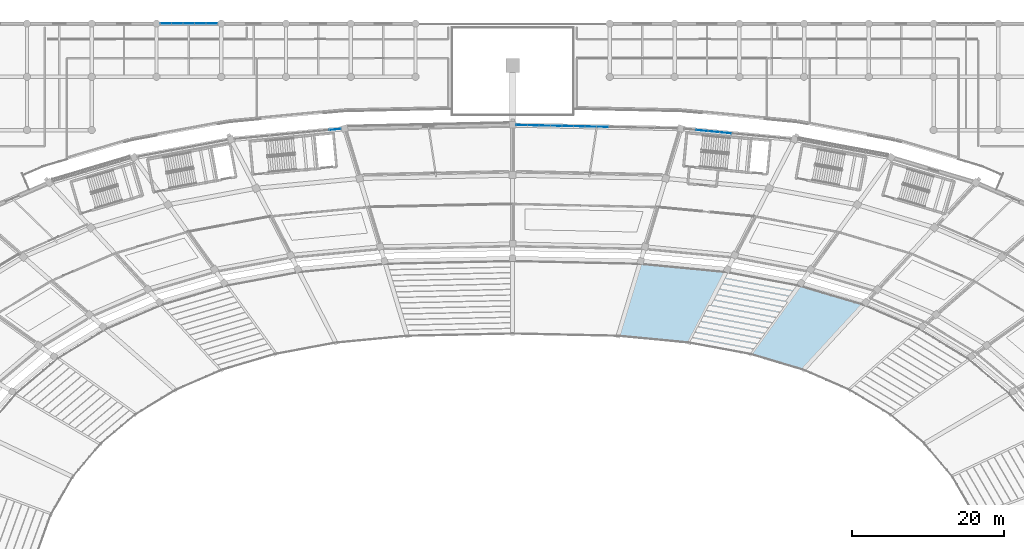
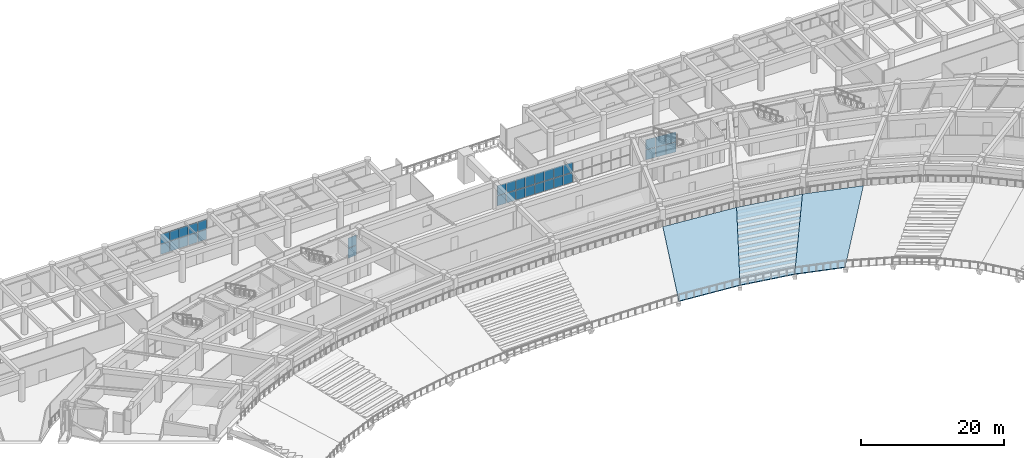
# One storey, part 91 of 152: 34 plates, 3 slabs, 4 elements without a shape of their own.
"""IFC4 building model written with IfcOpenShell, lengths in metres."""

from ifc_helpers import new_model, si_unit, direction, frame, origin, origin_2d, place, context, subcontext, project, spatial, polyline, rectangle, outline, extrude, material, layer, layer_set, type_object, element, aggregate, save


model = new_model("IFC4")

# Units and contexts
model_context = context("Model", 3, precision=1e-05, world=origin(), true_north=direction((0.0, 1.0)))
body_context = subcontext(model_context, "Body", "Model", "MODEL_VIEW")
ifc_project = project(units=[si_unit("LENGTHUNIT", "METRE"), si_unit("AREAUNIT", "SQUARE_METRE"), si_unit("VOLUMEUNIT", "CUBIC_METRE"), si_unit("PLANEANGLEUNIT", "RADIAN"), si_unit("MASSUNIT", "GRAM", prefix="KILO")], contexts=[model_context])

# Site, building, storey
site_placement = place(None, origin())
site = spatial("IfcSite", under=ifc_project, at=site_placement, CompositionType="ELEMENT")
building_placement = place(site_placement, origin())
building = spatial("IfcBuilding", under=site, at=building_placement, Name="Mphavela Belvedere Stadium", CompositionType="ELEMENT")
storey_placement = place(building_placement, frame((0.0, 0.0, 5.39990234375)))
storey = spatial("IfcBuildingStorey", under=building, at=storey_placement, Name="L01", CompositionType="ELEMENT", Elevation=5.39990234375)

# Curtain wall, plates
ifc_material_1 = material(Name="Anodised bronze unitised curtain wall framing")
ifc_layer_1 = layer(ifc_material_1, 0.205078125)
ifc_layer_set_1 = layer_set([ifc_layer_1], Name="Anodised bronze unitised curtain wall framing")
curtain_wall_type_1 = type_object("IfcCurtainWallType", Name="CW-UNIT-06", PredefinedType="USERDEFINED", material=ifc_layer_set_1)
curtain_wall_1_placement = place(storey_placement, origin())
curtain_wall_1 = element("IfcCurtainWall", 1, at=curtain_wall_1_placement, inside=storey, type_object=curtain_wall_type_1, Name="Belvedere colonnade curtain wall L01-11", ObjectType="UNITISED CURTAIN WALL", PredefinedType="USERDEFINED")
ifc_material_2 = material(Name="Solar-control double glazing", Category="glass")
ifc_layer_2 = layer(ifc_material_2, 0.031982421875)
ifc_layer_set_2 = layer_set([ifc_layer_2], Name="Solar-control double glazing")
plate_type = type_object("IfcPlateType", Name="CWP-SOLAR-GLASS", PredefinedType="CURTAIN_PANEL", material=ifc_layer_set_2)
plate_1_placement = place(storey_placement, frame((143.025146484375, 159.630126953125, 0.06005859375), z_axis=(0.0, 0.0, 1.0), x_axis=(-0.99548468981, 0.094922243726, 0.0)))
plate_1 = element("IfcPlate", 2, at=plate_1_placement, type_object=plate_type, Name="CW-06 panel 6.1", PredefinedType="CURTAIN_PANEL", context=body_context, shape_type="SweptSolid", body=[
    extrude(rectangle(XDim=1.510498046875, YDim=0.031982421875, at=origin_2d()), origin(), (0.0, 0.0, 1.0), 1.695068359375),
])
plate_2_placement = place(storey_placement, frame((143.025146484375, 159.630126953125, 1.81494140625), z_axis=(0.0, 0.0, 1.0), x_axis=(-0.99548468981, 0.094922243726, 0.0)))
plate_2 = element("IfcPlate", 3, at=plate_2_placement, type_object=plate_type, Name="CW-06 panel 6.2", PredefinedType="CURTAIN_PANEL", context=body_context, shape_type="SweptSolid", body=[
    extrude(rectangle(XDim=1.510498046875, YDim=0.031982421875, at=origin_2d()), origin(), (0.0, 0.0, 1.0), 1.695068359375),
])
plate_3_placement = place(storey_placement, frame((141.456787109375, 159.77978515625, 0.06005859375), z_axis=(0.0, 0.0, 1.0), x_axis=(-0.99548468981, 0.094922243726, 0.0)))
plate_3 = element("IfcPlate", 4, at=plate_3_placement, type_object=plate_type, Name="CW-06 panel 7.1", PredefinedType="CURTAIN_PANEL", context=body_context, shape_type="SweptSolid", body=[
    extrude(rectangle(XDim=1.510498046875, YDim=0.031982421875, at=origin_2d()), origin(), (0.0, 0.0, 1.0), 1.695068359375),
])
plate_4_placement = place(storey_placement, frame((141.456787109375, 159.77978515625, 1.81494140625), z_axis=(0.0, 0.0, 1.0), x_axis=(-0.99548468981, 0.094922243726, 0.0)))
plate_4 = element("IfcPlate", 5, at=plate_4_placement, type_object=plate_type, Name="CW-06 panel 7.2", PredefinedType="CURTAIN_PANEL", context=body_context, shape_type="SweptSolid", body=[
    extrude(rectangle(XDim=1.510498046875, YDim=0.031982421875, at=origin_2d()), origin(), (0.0, 0.0, 1.0), 1.695068359375),
])
plate_5_placement = place(storey_placement, frame((139.888427734375, 159.92919921875, 0.06005859375), z_axis=(0.0, 0.0, 1.0), x_axis=(-0.99548468981, 0.094922243726, 0.0)))
plate_5 = element("IfcPlate", 6, at=plate_5_placement, type_object=plate_type, Name="CW-06 panel 8.1", PredefinedType="CURTAIN_PANEL", context=body_context, shape_type="SweptSolid", body=[
    extrude(rectangle(XDim=1.510498046875, YDim=0.031982421875, at=origin_2d()), origin(), (0.0, 0.0, 1.0), 1.695068359375),
])
plate_6_placement = place(storey_placement, frame((139.888427734375, 159.92919921875, 1.81494140625), z_axis=(0.0, 0.0, 1.0), x_axis=(-0.99548468981, 0.094922243726, 0.0)))
plate_6 = element("IfcPlate", 7, at=plate_6_placement, type_object=plate_type, Name="CW-06 panel 8.2", PredefinedType="CURTAIN_PANEL", context=body_context, shape_type="SweptSolid", body=[
    extrude(rectangle(XDim=1.510498046875, YDim=0.031982421875, at=origin_2d()), origin(), (0.0, 0.0, 1.0), 1.695068359375),
])
aggregate(curtain_wall_1, [plate_1, plate_2, plate_3, plate_4, plate_5, plate_6])

ifc_material_3 = material(Name="Anodised bronze unitised curtain wall framing")
ifc_layer_3 = layer(ifc_material_3, 0.179931640625)
ifc_layer_set_3 = layer_set([ifc_layer_3], Name="Anodised bronze unitised curtain wall framing")
curtain_wall_type_2 = type_object("IfcCurtainWallType", Name="CW-UNIT-01", PredefinedType="USERDEFINED", material=ifc_layer_set_3)
curtain_wall_2_placement = place(storey_placement, origin())
curtain_wall_2 = element("IfcCurtainWall", 8, at=curtain_wall_2_placement, inside=storey, type_object=curtain_wall_type_2, Name="Belvedere colonnade curtain wall L01-12", ObjectType="UNITISED CURTAIN WALL", PredefinedType="USERDEFINED")
plate_7_placement = place(storey_placement, frame((126.81689453125, 160.41552734375, 0.06005859375), z_axis=(0.0, 0.0, 1.0), x_axis=(-0.999768226394, 0.021528899038, 0.0)))
plate_7 = element("IfcPlate", 9, at=plate_7_placement, type_object=plate_type, Name="CW-01 panel 7.1", PredefinedType="CURTAIN_PANEL", context=body_context, shape_type="SweptSolid", body=[
    extrude(rectangle(XDim=1.45458984375, YDim=0.031982421875, at=origin_2d()), origin(), (0.0, 0.0, 1.0), 1.695068359375),
])
plate_8_placement = place(storey_placement, frame((126.81689453125, 160.41552734375, 1.81494140625), z_axis=(0.0, 0.0, 1.0), x_axis=(-0.999768226394, 0.021528899038, 0.0)))
plate_8 = element("IfcPlate", 10, at=plate_8_placement, type_object=plate_type, Name="CW-01 panel 7.2", PredefinedType="CURTAIN_PANEL", context=body_context, shape_type="SweptSolid", body=[
    extrude(rectangle(XDim=1.45458984375, YDim=0.031982421875, at=origin_2d()), origin(), (0.0, 0.0, 1.0), 1.695068359375),
])
plate_9_placement = place(storey_placement, frame((125.297607421875, 160.4482421875, 0.06005859375), z_axis=(0.0, 0.0, 1.0), x_axis=(-0.999768226394, 0.021528899038, 0.0)))
plate_9 = element("IfcPlate", 11, at=plate_9_placement, type_object=plate_type, Name="CW-01 panel 8.1", PredefinedType="CURTAIN_PANEL", context=body_context, shape_type="SweptSolid", body=[
    extrude(rectangle(XDim=1.45458984375, YDim=0.031982421875, at=origin_2d()), origin(), (0.0, 0.0, 1.0), 1.695068359375),
])
plate_10_placement = place(storey_placement, frame((125.297607421875, 160.4482421875, 1.81494140625), z_axis=(0.0, 0.0, 1.0), x_axis=(-0.999768226394, 0.021528899038, 0.0)))
plate_10 = element("IfcPlate", 12, at=plate_10_placement, type_object=plate_type, Name="CW-01 panel 8.2", PredefinedType="CURTAIN_PANEL", context=body_context, shape_type="SweptSolid", body=[
    extrude(rectangle(XDim=1.45458984375, YDim=0.031982421875, at=origin_2d()), origin(), (0.0, 0.0, 1.0), 1.695068359375),
])
plate_11_placement = place(storey_placement, frame((123.778564453125, 160.48095703125, 0.06005859375), z_axis=(0.0, 0.0, 1.0), x_axis=(-0.999768226394, 0.021528899038, 0.0)))
plate_11 = element("IfcPlate", 13, at=plate_11_placement, type_object=plate_type, Name="CW-01 panel 9.1", PredefinedType="CURTAIN_PANEL", context=body_context, shape_type="SweptSolid", body=[
    extrude(rectangle(XDim=1.45458984375, YDim=0.031982421875, at=origin_2d()), origin(), (0.0, 0.0, 1.0), 1.695068359375),
])
plate_12_placement = place(storey_placement, frame((123.778564453125, 160.48095703125, 1.81494140625), z_axis=(0.0, 0.0, 1.0), x_axis=(-0.999768226394, 0.021528899038, 0.0)))
plate_12 = element("IfcPlate", 14, at=plate_12_placement, type_object=plate_type, Name="CW-01 panel 9.2", PredefinedType="CURTAIN_PANEL", context=body_context, shape_type="SweptSolid", body=[
    extrude(rectangle(XDim=1.45458984375, YDim=0.031982421875, at=origin_2d()), origin(), (0.0, 0.0, 1.0), 1.695068359375),
])
plate_13_placement = place(storey_placement, frame((122.25927734375, 160.513671875, 0.06005859375), z_axis=(0.0, 0.0, 1.0), x_axis=(-0.999768226394, 0.021528899038, 0.0)))
plate_13 = element("IfcPlate", 15, at=plate_13_placement, type_object=plate_type, Name="CW-01 panel 10.1", PredefinedType="CURTAIN_PANEL", context=body_context, shape_type="SweptSolid", body=[
    extrude(rectangle(XDim=1.45458984375, YDim=0.031982421875, at=origin_2d()), origin(), (0.0, 0.0, 1.0), 1.695068359375),
])
plate_14_placement = place(storey_placement, frame((122.25927734375, 160.513671875, 1.81494140625), z_axis=(0.0, 0.0, 1.0), x_axis=(-0.999768226394, 0.021528899038, 0.0)))
plate_14 = element("IfcPlate", 16, at=plate_14_placement, type_object=plate_type, Name="CW-01 panel 10.2", PredefinedType="CURTAIN_PANEL", context=body_context, shape_type="SweptSolid", body=[
    extrude(rectangle(XDim=1.45458984375, YDim=0.031982421875, at=origin_2d()), origin(), (0.0, 0.0, 1.0), 1.695068359375),
])
plate_15_placement = place(storey_placement, frame((120.739990234375, 160.54638671875, 0.06005859375), z_axis=(0.0, 0.0, 1.0), x_axis=(-0.999768226394, 0.021528899038, 0.0)))
plate_15 = element("IfcPlate", 17, at=plate_15_placement, type_object=plate_type, Name="CW-01 panel 11.1", PredefinedType="CURTAIN_PANEL", context=body_context, shape_type="SweptSolid", body=[
    extrude(rectangle(XDim=1.45458984375, YDim=0.031982421875, at=origin_2d()), origin(), (0.0, 0.0, 1.0), 1.695068359375),
])
plate_16_placement = place(storey_placement, frame((120.739990234375, 160.54638671875, 1.81494140625), z_axis=(0.0, 0.0, 1.0), x_axis=(-0.999768226394, 0.021528899038, 0.0)))
plate_16 = element("IfcPlate", 18, at=plate_16_placement, type_object=plate_type, Name="CW-01 panel 11.2", PredefinedType="CURTAIN_PANEL", context=body_context, shape_type="SweptSolid", body=[
    extrude(rectangle(XDim=1.45458984375, YDim=0.031982421875, at=origin_2d()), origin(), (0.0, 0.0, 1.0), 1.695068359375),
])
plate_17_placement = place(storey_placement, frame((119.220947265625, 160.5791015625, 0.06005859375), z_axis=(0.0, 0.0, 1.0), x_axis=(-0.999768226394, 0.021528899038, 0.0)))
plate_17 = element("IfcPlate", 19, at=plate_17_placement, type_object=plate_type, Name="CW-01 panel 12.1", PredefinedType="CURTAIN_PANEL", context=body_context, shape_type="SweptSolid", body=[
    extrude(rectangle(XDim=1.45458984375, YDim=0.031982421875, at=origin_2d()), origin(), (0.0, 0.0, 1.0), 1.695068359375),
])
plate_18_placement = place(storey_placement, frame((119.220947265625, 160.5791015625, 1.81494140625), z_axis=(0.0, 0.0, 1.0), x_axis=(-0.999768226394, 0.021528899038, 0.0)))
plate_18 = element("IfcPlate", 20, at=plate_18_placement, type_object=plate_type, Name="CW-01 panel 12.2", PredefinedType="CURTAIN_PANEL", context=body_context, shape_type="SweptSolid", body=[
    extrude(rectangle(XDim=1.45458984375, YDim=0.031982421875, at=origin_2d()), origin(), (0.0, 0.0, 1.0), 1.695068359375),
])
plate_19_placement = place(storey_placement, frame((117.70166015625, 160.61181640625, 0.06005859375), z_axis=(0.0, 0.0, 1.0), x_axis=(-0.999768226394, 0.021528899038, 0.0)))
plate_19 = element("IfcPlate", 21, at=plate_19_placement, type_object=plate_type, Name="CW-01 panel 13.1", PredefinedType="CURTAIN_PANEL", context=body_context, shape_type="SweptSolid", body=[
    extrude(rectangle(XDim=1.45458984375, YDim=0.031982421875, at=origin_2d()), origin(), (0.0, 0.0, 1.0), 1.695068359375),
])
plate_20_placement = place(storey_placement, frame((117.70166015625, 160.61181640625, 1.81494140625), z_axis=(0.0, 0.0, 1.0), x_axis=(-0.999768226394, 0.021528899038, 0.0)))
plate_20 = element("IfcPlate", 22, at=plate_20_placement, type_object=plate_type, Name="CW-01 panel 13.2", PredefinedType="CURTAIN_PANEL", context=body_context, shape_type="SweptSolid", body=[
    extrude(rectangle(XDim=1.45458984375, YDim=0.031982421875, at=origin_2d()), origin(), (0.0, 0.0, 1.0), 1.695068359375),
])
plate_21_placement = place(storey_placement, frame((116.19873046875, 160.644287109375, 0.06005859375), z_axis=(0.0, 0.0, 1.0), x_axis=(-0.999768226394, 0.021528899038, 0.0)))
plate_21 = element("IfcPlate", 23, at=plate_21_placement, type_object=plate_type, Name="CW-01 panel 14.1", PredefinedType="CURTAIN_PANEL", context=body_context, shape_type="SweptSolid", body=[
    extrude(rectangle(XDim=1.422119140625, YDim=0.031982421875, at=origin_2d()), origin(), (0.0, 0.0, 1.0), 1.695068359375),
])
plate_22_placement = place(storey_placement, frame((116.19873046875, 160.644287109375, 1.81494140625), z_axis=(0.0, 0.0, 1.0), x_axis=(-0.999768226394, 0.021528899038, 0.0)))
plate_22 = element("IfcPlate", 24, at=plate_22_placement, type_object=plate_type, Name="CW-01 panel 14.2", PredefinedType="CURTAIN_PANEL", context=body_context, shape_type="SweptSolid", body=[
    extrude(rectangle(XDim=1.422119140625, YDim=0.031982421875, at=origin_2d()), origin(), (0.0, 0.0, 1.0), 1.695068359375),
])
aggregate(curtain_wall_2, [plate_7, plate_8, plate_9, plate_10, plate_11, plate_12, plate_13, plate_14, plate_15, plate_16, plate_17, plate_18, plate_19, plate_20, plate_21, plate_22])

ifc_material_4 = material(Name="Anodised bronze unitised curtain wall framing")
ifc_layer_4 = layer(ifc_material_4, 0.18505859375)
ifc_layer_set_4 = layer_set([ifc_layer_4], Name="Anodised bronze unitised curtain wall framing")
curtain_wall_type_3 = type_object("IfcCurtainWallType", Name="CW-UNIT-02", PredefinedType="USERDEFINED", material=ifc_layer_set_4)
curtain_wall_3_placement = place(storey_placement, origin())
curtain_wall_3 = element("IfcCurtainWall", 25, at=curtain_wall_3_placement, inside=storey, type_object=curtain_wall_type_3, Name="Belvedere colonnade curtain wall L01-14", ObjectType="UNITISED CURTAIN WALL", PredefinedType="USERDEFINED")
plate_23_placement = place(storey_placement, frame((91.663818359375, 160.077392578125, 0.06005859375), z_axis=(0.0, 0.0, 1.0), x_axis=(-0.99548468981, -0.094922243726, 0.0)))
plate_23 = element("IfcPlate", 26, at=plate_23_placement, type_object=plate_type, Name="CW-02 panel 1.1", PredefinedType="CURTAIN_PANEL", context=body_context, shape_type="SweptSolid", body=[
    extrude(rectangle(XDim=1.47802734375, YDim=0.031982421875, at=origin_2d()), origin(), (0.0, 0.0, 1.0), 1.695068359375),
])
plate_24_placement = place(storey_placement, frame((91.663818359375, 160.077392578125, 1.81494140625), z_axis=(0.0, 0.0, 1.0), x_axis=(-0.99548468981, -0.094922243726, 0.0)))
plate_24 = element("IfcPlate", 27, at=plate_24_placement, type_object=plate_type, Name="CW-02 panel 1.2", PredefinedType="CURTAIN_PANEL", context=body_context, shape_type="SweptSolid", body=[
    extrude(rectangle(XDim=1.47802734375, YDim=0.031982421875, at=origin_2d()), origin(), (0.0, 0.0, 1.0), 1.695068359375),
])
aggregate(curtain_wall_3, [plate_23, plate_24])

curtain_wall_4_placement = place(storey_placement, origin())
curtain_wall_4 = element("IfcCurtainWall", 28, at=curtain_wall_4_placement, inside=storey, type_object=curtain_wall_type_3, Name="North Mast and Ceremonial End Forecourt gallery curtain wall L01-09", ObjectType="UNITISED CURTAIN WALL", PredefinedType="USERDEFINED")
plate_25_placement = place(storey_placement, frame((69.39453125, 174.0, 0.06005859375), z_axis=(0.0, 0.0, 1.0), x_axis=(1.0, 0.0, 0.0)))
plate_25 = element("IfcPlate", 29, at=plate_25_placement, type_object=plate_type, Name="CW-02 panel 1.1", PredefinedType="CURTAIN_PANEL", context=body_context, shape_type="SweptSolid", body=[
    extrude(rectangle(XDim=1.4169921875, YDim=0.031982421875, at=origin_2d()), origin(), (0.0, 0.0, 1.0), 1.68994140625),
])
plate_26_placement = place(storey_placement, frame((69.39453125, 174.0, 1.81005859375), z_axis=(0.0, 0.0, 1.0), x_axis=(1.0, 0.0, 0.0)))
plate_26 = element("IfcPlate", 30, at=plate_26_placement, type_object=plate_type, Name="CW-02 panel 1.2", PredefinedType="CURTAIN_PANEL", context=body_context, shape_type="SweptSolid", body=[
    extrude(rectangle(XDim=1.4169921875, YDim=0.031982421875, at=origin_2d()), origin(), (0.0, 0.0, 1.0), 1.68994140625),
])
plate_27_placement = place(storey_placement, frame((70.892822265625, 174.0, 0.06005859375), z_axis=(0.0, 0.0, 1.0), x_axis=(1.0, 0.0, 0.0)))
plate_27 = element("IfcPlate", 31, at=plate_27_placement, type_object=plate_type, Name="CW-02 panel 2.1", PredefinedType="CURTAIN_PANEL", context=body_context, shape_type="SweptSolid", body=[
    extrude(rectangle(XDim=1.44970703125, YDim=0.031982421875, at=origin_2d()), origin(), (0.0, 0.0, 1.0), 1.68994140625),
])
plate_28_placement = place(storey_placement, frame((70.892822265625, 174.0, 1.81005859375), z_axis=(0.0, 0.0, 1.0), x_axis=(1.0, 0.0, 0.0)))
plate_28 = element("IfcPlate", 32, at=plate_28_placement, type_object=plate_type, Name="CW-02 panel 2.2", PredefinedType="CURTAIN_PANEL", context=body_context, shape_type="SweptSolid", body=[
    extrude(rectangle(XDim=1.44970703125, YDim=0.031982421875, at=origin_2d()), origin(), (0.0, 0.0, 1.0), 1.68994140625),
])
plate_29_placement = place(storey_placement, frame((72.407470703125, 174.0, 0.06005859375), z_axis=(0.0, 0.0, 1.0), x_axis=(1.0, 0.0, 0.0)))
plate_29 = element("IfcPlate", 33, at=plate_29_placement, type_object=plate_type, Name="CW-02 panel 3.1", PredefinedType="CURTAIN_PANEL", context=body_context, shape_type="SweptSolid", body=[
    extrude(rectangle(XDim=1.44970703125, YDim=0.031982421875, at=origin_2d()), origin(), (0.0, 0.0, 1.0), 1.68994140625),
])
plate_30_placement = place(storey_placement, frame((72.407470703125, 174.0, 1.81005859375), z_axis=(0.0, 0.0, 1.0), x_axis=(1.0, 0.0, 0.0)))
plate_30 = element("IfcPlate", 34, at=plate_30_placement, type_object=plate_type, Name="CW-02 panel 3.2", PredefinedType="CURTAIN_PANEL", context=body_context, shape_type="SweptSolid", body=[
    extrude(rectangle(XDim=1.44970703125, YDim=0.031982421875, at=origin_2d()), origin(), (0.0, 0.0, 1.0), 1.68994140625),
])
plate_31_placement = place(storey_placement, frame((73.922119140625, 174.0, 0.06005859375), z_axis=(0.0, 0.0, 1.0), x_axis=(1.0, 0.0, 0.0)))
plate_31 = element("IfcPlate", 35, at=plate_31_placement, type_object=plate_type, Name="CW-02 panel 4.1", PredefinedType="CURTAIN_PANEL", context=body_context, shape_type="SweptSolid", body=[
    extrude(rectangle(XDim=1.44970703125, YDim=0.031982421875, at=origin_2d()), origin(), (0.0, 0.0, 1.0), 1.68994140625),
])
plate_32_placement = place(storey_placement, frame((73.922119140625, 174.0, 1.81005859375), z_axis=(0.0, 0.0, 1.0), x_axis=(1.0, 0.0, 0.0)))
plate_32 = element("IfcPlate", 36, at=plate_32_placement, type_object=plate_type, Name="CW-02 panel 4.2", PredefinedType="CURTAIN_PANEL", context=body_context, shape_type="SweptSolid", body=[
    extrude(rectangle(XDim=1.44970703125, YDim=0.031982421875, at=origin_2d()), origin(), (0.0, 0.0, 1.0), 1.68994140625),
])
plate_33_placement = place(storey_placement, frame((75.42041015625, 174.0, 0.06005859375), z_axis=(0.0, 0.0, 1.0), x_axis=(1.0, 0.0, 0.0)))
plate_33 = element("IfcPlate", 37, at=plate_33_placement, type_object=plate_type, Name="CW-02 panel 5.1", PredefinedType="CURTAIN_PANEL", context=body_context, shape_type="SweptSolid", body=[
    extrude(rectangle(XDim=1.4169921875, YDim=0.031982421875, at=origin_2d()), origin(), (0.0, 0.0, 1.0), 1.68994140625),
])
plate_34_placement = place(storey_placement, frame((75.42041015625, 174.0, 1.81005859375), z_axis=(0.0, 0.0, 1.0), x_axis=(1.0, 0.0, 0.0)))
plate_34 = element("IfcPlate", 38, at=plate_34_placement, type_object=plate_type, Name="CW-02 panel 5.2", PredefinedType="CURTAIN_PANEL", context=body_context, shape_type="SweptSolid", body=[
    extrude(rectangle(XDim=1.4169921875, YDim=0.031982421875, at=origin_2d()), origin(), (0.0, 0.0, 1.0), 1.68994140625),
])
aggregate(curtain_wall_4, [plate_25, plate_26, plate_27, plate_28, plate_29, plate_30, plate_31, plate_32, plate_33, plate_34])

# Slabs
ifc_material_5 = material(Name="Precast concrete C45/55", Category="concrete")
ifc_layer_5 = layer(ifc_material_5, 0.25)
ifc_layer_set_5 = layer_set([ifc_layer_5], Name="Precast concrete C45/55")
slab_type = type_object("IfcSlabType", Name="SLB-TIER-LOWER", PredefinedType="USERDEFINED", material=ifc_layer_set_5)
slab_1_placement = place(storey_placement, frame((153.229736328125, 128.462890625, -4.099853515625), z_axis=(-0.141887406626, -0.478031379031, 0.866806763069), x_axis=(-0.958662176806, 0.284546711036, 1.92175e-07)))
element("IfcSlab", 39, at=slab_1_placement, inside=storey, type_object=slab_type, Name="Lower seating tier slab L01-09", ObjectType="SEATING TIER", PredefinedType="USERDEFINED", context=body_context, shape_type="SweptSolid", body=[
    extrude(outline(polyline([(0.0, 0.0), (7.2878357610349545, 4.440892098500626e-16), (3.669552597855052, -12.03262632422255), (-5.119803900182248, -12.032632520277364), (0.0, 0.0)])), origin(), (0.0, 0.0, -1.0), 0.25),
])
slab_2_placement = place(storey_placement, frame((146.2431640625, 130.53662109375, -4.099853515625), z_axis=(-0.094235956026, -0.505938886763, 0.857406220792), x_axis=(-0.983092331305, 0.183110535279, 1.10416e-07)))
element("IfcSlab", 40, at=slab_2_placement, inside=storey, type_object=slab_type, Name="Lower seating tier slab L01-10", ObjectType="SEATING TIER", PredefinedType="USERDEFINED", context=body_context, shape_type="SweptSolid", body=[
    extrude(outline(polyline([(0.0, 0.0), (8.122439028539493, 0.0), (5.1104153923724285, -11.658628718852402), (-4.685334146446665, -11.658632563189693), (0.0, 0.0)])), origin(), (0.0, 0.0, -1.0), 0.25),
])
slab_3_placement = place(storey_placement, frame((138.258056640625, 132.02392578125, -4.099853515625), z_axis=(-0.049974089428, -0.524125282997, 0.850173675262), x_axis=(-0.995485126826, 0.094917660464, 3.32756e-07)))
element("IfcSlab", 41, at=slab_3_placement, inside=storey, type_object=slab_type, Name="Lower seating tier slab L01-11", ObjectType="SEATING TIER", PredefinedType="USERDEFINED", context=body_context, shape_type="SweptSolid", body=[
    extrude(outline(polyline([(0.0, 0.0), (9.426838508432935, -1.1102230246251565e-16), (7.47950777252167, -11.395955858493513), (-3.889447325995744, -11.395969001676475), (0.0, 0.0)])), origin(), (0.0, 0.0, -1.0), 0.25),
])

save(model, "model.ifc")
